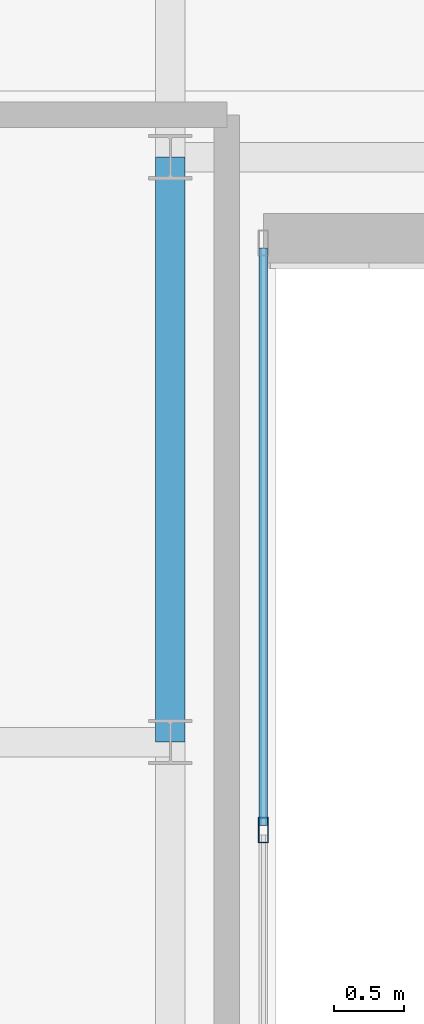
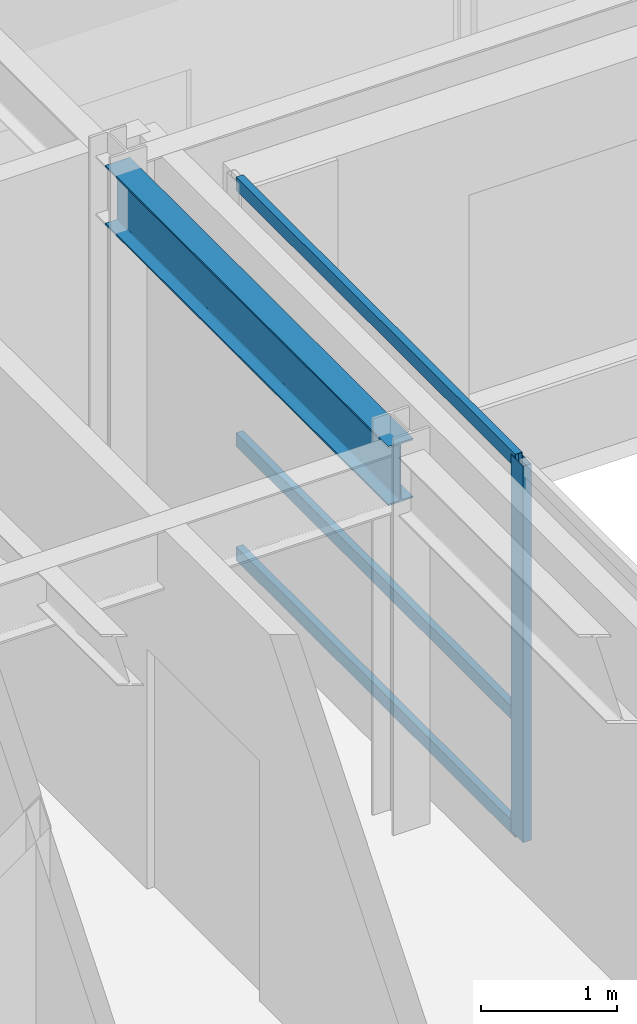
# One storey, part 6 of 21: 4 members, 1 beam, 1 element without a shape of its own.
"""IFC4 building model written with IfcOpenShell, lengths in metres."""

from ifc_helpers import new_model, si_unit, direction, frame, origin, origin_2d, place, context, subcontext, project, spatial, hollow_rectangle, i_section, extrude, source, transform, mapped, material, layer, layer_set, material_profile, profile_set, type_object, type_shapes, element, aggregate, save


model = new_model("IFC4")

# Units and contexts
model_context = context("Model", 3, precision=1e-05, world=origin(), true_north=direction((0.0, 1.0)))
body_context = subcontext(model_context, "Body", "Model", "MODEL_VIEW")
ifc_project = project(units=[si_unit("LENGTHUNIT", "METRE"), si_unit("AREAUNIT", "SQUARE_METRE"), si_unit("VOLUMEUNIT", "CUBIC_METRE"), si_unit("PLANEANGLEUNIT", "RADIAN"), si_unit("MASSUNIT", "GRAM", prefix="KILO")], contexts=[model_context])

# Site, building, storey
site_placement = place(None, origin())
site = spatial("IfcSite", under=ifc_project, at=site_placement, CompositionType="ELEMENT")
building_placement = place(site_placement, origin())
building = spatial("IfcBuilding", under=site, at=building_placement, Name="Tolvann Quenvar Hotel", CompositionType="ELEMENT")
storey_placement = place(building_placement, frame((0.0, 0.0, 255.85009765625)))
storey = spatial("IfcBuildingStorey", under=building, at=storey_placement, Name="L68", CompositionType="ELEMENT", Elevation=255.85009765625)

# Beam
ifc_material_1 = material(Name="Steel Grade 350", Category="steel")
ifc_material_profile_1 = material_profile(ifc_material_1, i_section(OverallWidth=0.208984375, OverallDepth=0.532958984375, WebThickness=0.01025390625, FlangeThickness=0.015625, FilletRadius=0.013916015625, at=origin_2d()), Name="530UB92")
ifc_profile_set_1 = profile_set([ifc_material_profile_1], Name="Steel Grade 350")
beam_type = type_object("IfcBeamType", Name="BM_GIRD_530UB92", PredefinedType="BEAM", material=ifc_profile_set_1)
shared_shape_1 = source(origin(), body_context, "Body", "SweptSolid", [
    extrude(i_section(OverallWidth=0.208984375, OverallDepth=0.532958984375, WebThickness=0.01025390625, FlangeThickness=0.015625, FilletRadius=0.013916015625, at=origin_2d()), origin(), (0.0, 0.0, 1.0), 4.14990234375),
])
type_shapes(beam_type, [shared_shape_1])
beam_placement = place(storey_placement, frame((14.449951171875, 16.0, 3.103515625), z_axis=(0.0, 1.0, 0.0), x_axis=(-1.0, 0.0, 0.0)))
element("IfcBeam", 1, at=beam_placement, inside=storey, type_object=beam_type, Name="BM-L68-NS-D4-D4P", PredefinedType="BEAM", context=body_context, shape_type="MappedRepresentation", body=[
    mapped(shared_shape_1, transform((0.0, 0.0, 0.0), x_axis=(1.0, 0.0, 0.0), y_axis=(0.0, 1.0, 0.0), z_axis=(0.0, 0.0, 1.0), scale=1.0)),
])

# Curtain wall, members
ifc_material_2 = material(Name="Thermally broken anodised architectural aluminium 6063-T6 and laminated low-E glass", Category="aluminium")
ifc_layer = layer(ifc_material_2, 0.179931640625)
ifc_layer_set = layer_set([ifc_layer], Name="Thermally broken anodised architectural aluminium 6063-T6 and laminated low-E glass")
curtain_wall_type = type_object("IfcCurtainWallType", Name="CW_SYS_PORTAL_05", PredefinedType="USERDEFINED", material=ifc_layer_set)
curtain_wall_placement = place(storey_placement, origin())
curtain_wall = element("IfcCurtainWall", 2, at=curtain_wall_placement, inside=storey, type_object=curtain_wall_type, Name="Curtain Wall CW-PORTAL-05 (CWR-L68-E05)", ObjectType="UNITISED CURTAIN WALL", PredefinedType="USERDEFINED")
ifc_material_3 = material(Name="Anodised architectural aluminium 6063-T6 framing", Category="aluminium")
ifc_material_profile_2 = material_profile(ifc_material_3, hollow_rectangle(XDim=0.070068359375, YDim=0.179931640625, WallThickness=0.00390625, at=origin_2d()), Name="180x70x4RHS")
ifc_profile_set_2 = profile_set([ifc_material_profile_2], Name="Anodised architectural aluminium 6063-T6 framing")
member_type_1 = type_object("IfcMemberType", Name="CW_MULL_180x70", PredefinedType="MULLION", material=ifc_profile_set_2)
shared_shape_2 = source(origin(), body_context, "Body", "SweptSolid", [
    extrude(hollow_rectangle(XDim=0.070068359375, YDim=0.179931640625, WallThickness=0.00390625, at=origin_2d()), origin(), (0.0, 0.0, 1.0), 3.369873046875),
])
type_shapes(member_type_1, [shared_shape_2])
member_1_placement = place(storey_placement, frame((15.110107421875, 15.375, 0.0), z_axis=(0.0, 0.0, 1.0), x_axis=(-1.0, 0.0, 0.0)))
member_1 = element("IfcMember", 3, at=member_1_placement, type_object=member_type_1, Name="CW-PORTAL-05 mullion 4", PredefinedType="MULLION", context=body_context, shape_type="MappedRepresentation", body=[
    mapped(shared_shape_2, transform((0.0, 0.0, 0.0), x_axis=(1.0, 0.0, 0.0), y_axis=(0.0, 1.0, 0.0), z_axis=(0.0, 0.0, 1.0), scale=1.0)),
])
ifc_material_profile_3 = material_profile(ifc_material_3, hollow_rectangle(XDim=0.06005859375, YDim=0.1201171875, WallThickness=0.00341796875, at=origin_2d()), Name="120x60x3.5RHS")
ifc_profile_set_3 = profile_set([ifc_material_profile_3], Name="Anodised architectural aluminium 6063-T6 framing")
member_type_2 = type_object("IfcMemberType", Name="CW_TRAN_120x60", PredefinedType="USERDEFINED", material=ifc_profile_set_3)
shared_shape_3 = source(origin(), body_context, "Body", "SweptSolid", [
    extrude(hollow_rectangle(XDim=0.06005859375, YDim=0.1201171875, WallThickness=0.00341796875, at=origin_2d()), origin(), (0.0, 0.0, 1.0), 4.094970703125),
])
type_shapes(member_type_2, [shared_shape_3])
member_2_placement = place(storey_placement, frame((15.110107421875, 15.409912109375, 0.02978515625), z_axis=(0.0, 1.0, 0.0), x_axis=(-1.0, 0.0, 0.0)))
member_2 = element("IfcMember", 4, at=member_2_placement, type_object=member_type_2, Name="CW-PORTAL-05 transom 4.1", ObjectType="TRANSOM", PredefinedType="USERDEFINED", context=body_context, shape_type="MappedRepresentation", body=[
    mapped(shared_shape_3, transform((0.0, 0.0, 0.0), x_axis=(1.0, 0.0, 0.0), y_axis=(0.0, 1.0, 0.0), z_axis=(0.0, 0.0, 1.0), scale=1.0)),
])
member_3_placement = place(storey_placement, frame((15.110107421875, 15.409912109375, 1.0498046875), z_axis=(0.0, 1.0, 0.0), x_axis=(-1.0, 0.0, 0.0)))
member_3 = element("IfcMember", 5, at=member_3_placement, type_object=member_type_2, Name="CW-PORTAL-05 transom 4.2", ObjectType="TRANSOM", PredefinedType="USERDEFINED", context=body_context, shape_type="MappedRepresentation", body=[
    mapped(shared_shape_3, transform((0.0, 0.0, 0.0), x_axis=(1.0, 0.0, 0.0), y_axis=(0.0, 1.0, 0.0), z_axis=(0.0, 0.0, 1.0), scale=1.0)),
])
member_4_placement = place(storey_placement, frame((15.110107421875, 15.409912109375, 3.33984375), z_axis=(0.0, 1.0, 0.0), x_axis=(-1.0, 0.0, 0.0)))
member_4 = element("IfcMember", 6, at=member_4_placement, type_object=member_type_2, Name="CW-PORTAL-05 transom 4.3", ObjectType="TRANSOM", PredefinedType="USERDEFINED", context=body_context, shape_type="MappedRepresentation", body=[
    mapped(shared_shape_3, transform((0.0, 0.0, 0.0), x_axis=(1.0, 0.0, 0.0), y_axis=(0.0, 1.0, 0.0), z_axis=(0.0, 0.0, 1.0), scale=1.0)),
])
aggregate(curtain_wall, [member_1, member_2, member_3, member_4])

save(model, "model.ifc")
